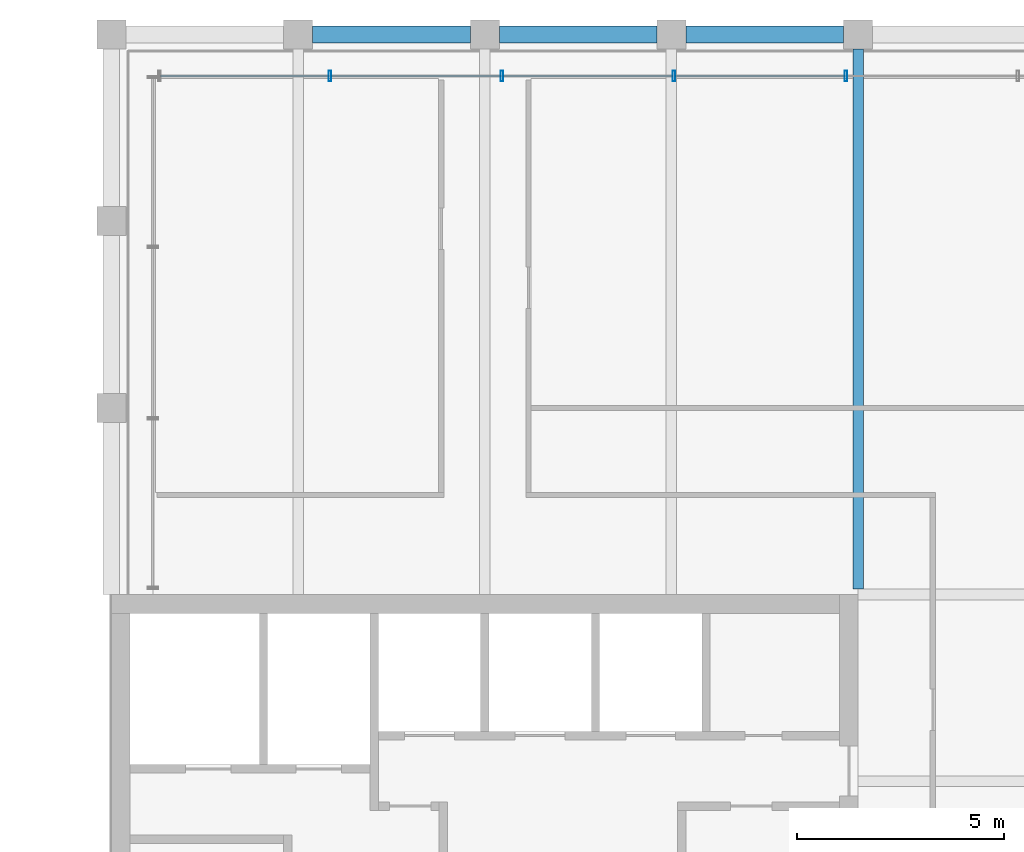
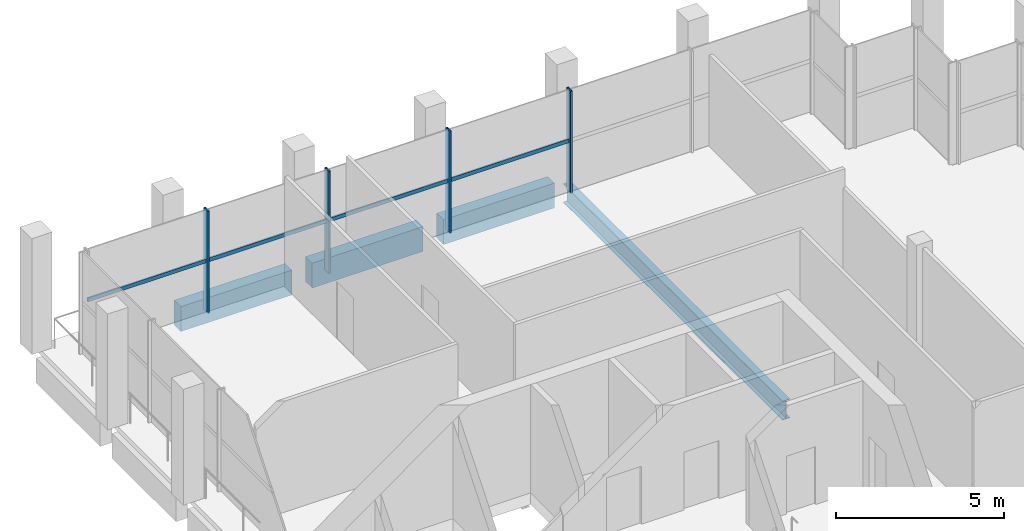
# One storey, part 11 of 17: 8 members, 4 beams, 1 element without a shape of its own.
"""IFC4 building model written with IfcOpenShell, lengths in metres."""

from ifc_helpers import new_model, si_unit, direction, frame, origin, origin_2d, place, context, subcontext, project, spatial, rectangle, hollow_rectangle, i_section, extrude, material, material_profile, profile_set, type_object, element, aggregate, save


model = new_model("IFC4")

# Units and contexts
model_context = context("Model", 3, precision=1e-05, world=origin(), true_north=direction((0.0, 1.0)))
body_context = subcontext(model_context, "Body", "Model", "MODEL_VIEW")
ifc_project = project(units=[si_unit("LENGTHUNIT", "METRE"), si_unit("AREAUNIT", "SQUARE_METRE"), si_unit("VOLUMEUNIT", "CUBIC_METRE"), si_unit("PLANEANGLEUNIT", "RADIAN"), si_unit("MASSUNIT", "GRAM", prefix="KILO")], contexts=[model_context])

# Site, building, storey
site_placement = place(None, origin())
site = spatial("IfcSite", under=ifc_project, at=site_placement, CompositionType="ELEMENT")
building_placement = place(site_placement, origin())
building = spatial("IfcBuilding", under=site, at=building_placement, Name="Altepetl Exchange Towers", CompositionType="ELEMENT")
storey_placement = place(building_placement, frame((0.0, 0.0, 259.39990234375)))
storey = spatial("IfcBuildingStorey", under=building, at=storey_placement, Name="L66", CompositionType="ELEMENT", Elevation=259.39990234375)

# Beam
ifc_material_1 = material(Name="Steel S355", Category="steel")
ifc_material_profile_1 = material_profile(ifc_material_1, i_section(OverallWidth=0.25390625, OverallDepth=0.68408203125, WebThickness=0.012451171875, FlangeThickness=0.018798828125, at=origin_2d()), Name="W27X94")
ifc_profile_set_1 = profile_set([ifc_material_profile_1], Name="Steel S355")
beam_type_1 = type_object("IfcBeamType", Name="Floor beam W27X94", PredefinedType="BEAM", material=ifc_profile_set_1)
beam_placement = place(storey_placement, frame((58.5, 58.634033203125, -0.516845703125), z_axis=(0.0, 1.0, 0.0), x_axis=(-1.0, 0.0, 0.0)))
element("IfcBeam", 1, at=beam_placement, inside=storey, type_object=beam_type_1, Name="bm:A:L66:003", PredefinedType="BEAM", context=body_context, shape_type="SweptSolid", body=[
    extrude(i_section(OverallWidth=0.25390625, OverallDepth=0.68408203125, WebThickness=0.012451171875, FlangeThickness=0.018798828125, at=origin_2d()), origin(), (0.0, 0.0, 1.0), 13.015869140625),
])

# Curtain wall, members
ifc_material_2 = material(Name="Aluminium 6063-T6 glazing", Category="aluminium")
curtain_wall_type = type_object("IfcCurtainWallType", Name="Executive flush glazing system", PredefinedType="NOTDEFINED", material=ifc_material_2)
curtain_wall_placement = place(storey_placement, origin())
curtain_wall = element("IfcCurtainWall", 2, at=curtain_wall_placement, inside=storey, type_object=curtain_wall_type, Name="CW4 run", PredefinedType="NOTDEFINED")
ifc_material_3 = material(Name="Aluminium 6063-T6", Category="aluminium")
ifc_material_profile_2 = material_profile(ifc_material_3, hollow_rectangle(XDim=0.06005859375, YDim=0.25, WallThickness=0.0029296875, at=origin_2d()), Name="Mullion 60x250 hollow aluminium")
ifc_profile_set_2 = profile_set([ifc_material_profile_2], Name="Aluminium 6063-T6")
member_type_1 = type_object("IfcMemberType", Name="Mullion 60x250 hollow aluminium", PredefinedType="MULLION", material=ifc_profile_set_2)
member_1_placement = place(storey_placement, frame((58.208251953125, 71.0, 0.0), z_axis=(0.0, 0.0, 1.0), x_axis=(-1.0, 0.0, 0.0)))
member_1 = element("IfcMember", 3, at=member_1_placement, type_object=member_type_1, Name="MU3 mullion", PredefinedType="MULLION", context=body_context, shape_type="SweptSolid", body=[
    extrude(hollow_rectangle(XDim=0.06005859375, YDim=0.25, WallThickness=0.0029296875, at=origin_2d()), origin(), (0.0, 0.0, 1.0), 3.7001953125),
])
member_2_placement = place(storey_placement, frame((54.0625, 71.0, 0.0), z_axis=(0.0, 0.0, 1.0), x_axis=(-1.0, 0.0, 0.0)))
member_2 = element("IfcMember", 4, at=member_2_placement, type_object=member_type_1, Name="MU3 mullion", PredefinedType="MULLION", context=body_context, shape_type="SweptSolid", body=[
    extrude(hollow_rectangle(XDim=0.06005859375, YDim=0.25, WallThickness=0.0029296875, at=origin_2d()), origin(), (0.0, 0.0, 1.0), 3.7001953125),
])
member_3_placement = place(storey_placement, frame((49.916748046875, 71.0, 0.0), z_axis=(0.0, 0.0, 1.0), x_axis=(-1.0, 0.0, 0.0)))
member_3 = element("IfcMember", 5, at=member_3_placement, type_object=member_type_1, Name="MU3 mullion", PredefinedType="MULLION", context=body_context, shape_type="SweptSolid", body=[
    extrude(hollow_rectangle(XDim=0.06005859375, YDim=0.25, WallThickness=0.0029296875, at=origin_2d()), origin(), (0.0, 0.0, 1.0), 3.7001953125),
])
member_4_placement = place(storey_placement, frame((45.770751953125, 71.0, 0.0), z_axis=(0.0, 0.0, 1.0), x_axis=(-1.0, 0.0, 0.0)))
member_4 = element("IfcMember", 6, at=member_4_placement, type_object=member_type_1, Name="MU3 mullion", PredefinedType="MULLION", context=body_context, shape_type="SweptSolid", body=[
    extrude(hollow_rectangle(XDim=0.06005859375, YDim=0.25, WallThickness=0.0029296875, at=origin_2d()), origin(), (0.0, 0.0, 1.0), 3.7001953125),
])

# Beams
ifc_material_4 = material(Name="Concrete C50/60 precast with cantera rosa facing", Category="concrete")
ifc_material_profile_3 = material_profile(ifc_material_4, rectangle(XDim=0.39990234375, YDim=0.89990234375, at=origin_2d()), Name="400 x 900")
ifc_profile_set_3 = profile_set([ifc_material_profile_3], Name="Concrete C50/60 precast with cantera rosa facing")
beam_type_2 = type_object("IfcBeamType", Name="Spandrel beam 400x900 cantera rosa", PredefinedType="SPANDREL", material=ifc_profile_set_3)
for number, where, z_axis, x_axis, name in (
    (7, (58.14990234375, 72.0, -0.625), (-1.0, 0.0, 0.0), (0.0, -1.0, 0.0), "sp:A:L66:026"),
    (8, (53.64990234375, 72.0, -0.625), (-1.0, 0.0, 0.0), (0.0, -1.0, 0.0), "sp:A:L66:027"),
    (9, (49.14990234375, 72.0, -0.625), (-1.0, 0.0, 0.0), (0.0, -1.0, 0.0), "sp:A:L66:028"),
):
    element("IfcBeam", number, at=place(storey_placement, frame(where, z_axis=z_axis, x_axis=x_axis)), inside=storey, type_object=beam_type_2, Name=name, PredefinedType="SPANDREL", context=body_context, shape_type="SweptSolid", body=[
        extrude(rectangle(XDim=0.39990234375, YDim=0.89990234375, at=origin_2d()), origin(), (0.0, 0.0, 1.0), 3.7998046875),
    ])

# Member
ifc_material_profile_4 = material_profile(ifc_material_3, hollow_rectangle(XDim=0.050048828125, YDim=0.139892578125, WallThickness=0.0029296875, at=origin_2d()), Name="Transom 50x140 hollow aluminium")
ifc_profile_set_4 = profile_set([ifc_material_profile_4], Name="Aluminium 6063-T6")
member_type_2 = type_object("IfcMemberType", Name="Transom 50x140 hollow aluminium", PredefinedType="USERDEFINED", material=ifc_profile_set_4)
member_5_placement = place(storey_placement, frame((58.17822265625, 71.0, 1.85009765625), z_axis=(-1.0, 0.0, 0.0), x_axis=(0.0, -1.0, 0.0)))
member_5 = element("IfcMember", 10, at=member_5_placement, type_object=member_type_2, Name="TR2 transom", ObjectType="TRANSOM", PredefinedType="USERDEFINED", context=body_context, shape_type="SweptSolid", body=[
    extrude(hollow_rectangle(XDim=0.050048828125, YDim=0.139892578125, WallThickness=0.0029296875, at=origin_2d()), origin(), (0.0, 0.0, 1.0), 4.085693359375),
])

member_6_placement = place(storey_placement, frame((54.032470703125, 71.0, 1.85009765625), z_axis=(-1.0, 0.0, 0.0), x_axis=(0.0, -1.0, 0.0)))
member_6 = element("IfcMember", 11, at=member_6_placement, type_object=member_type_2, Name="TR2 transom", ObjectType="TRANSOM", PredefinedType="USERDEFINED", context=body_context, shape_type="SweptSolid", body=[
    extrude(hollow_rectangle(XDim=0.050048828125, YDim=0.139892578125, WallThickness=0.0029296875, at=origin_2d()), origin(), (0.0, 0.0, 1.0), 4.085693359375),
])

member_7_placement = place(storey_placement, frame((49.88671875, 71.0, 1.85009765625), z_axis=(-1.0, 0.0, 0.0), x_axis=(0.0, -1.0, 0.0)))
member_7 = element("IfcMember", 12, at=member_7_placement, type_object=member_type_2, Name="TR2 transom", ObjectType="TRANSOM", PredefinedType="USERDEFINED", context=body_context, shape_type="SweptSolid", body=[
    extrude(hollow_rectangle(XDim=0.050048828125, YDim=0.139892578125, WallThickness=0.0029296875, at=origin_2d()), origin(), (0.0, 0.0, 1.0), 4.0859375),
])

member_8_placement = place(storey_placement, frame((45.74072265625, 71.0, 1.85009765625), z_axis=(-1.0, 0.0, 0.0), x_axis=(0.0, -1.0, 0.0)))
member_8 = element("IfcMember", 13, at=member_8_placement, type_object=member_type_2, Name="TR2 transom", ObjectType="TRANSOM", PredefinedType="USERDEFINED", context=body_context, shape_type="SweptSolid", body=[
    extrude(hollow_rectangle(XDim=0.050048828125, YDim=0.139892578125, WallThickness=0.0029296875, at=origin_2d()), origin(), (0.0, 0.0, 1.0), 4.0556640625),
])

aggregate(curtain_wall, [member_1, member_2, member_3, member_4, member_5, member_6, member_7, member_8])

save(model, "model.ifc")
